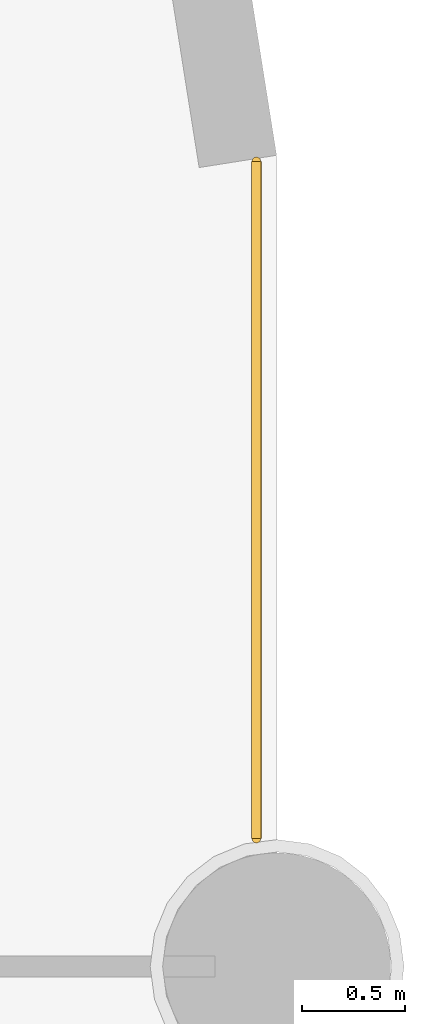
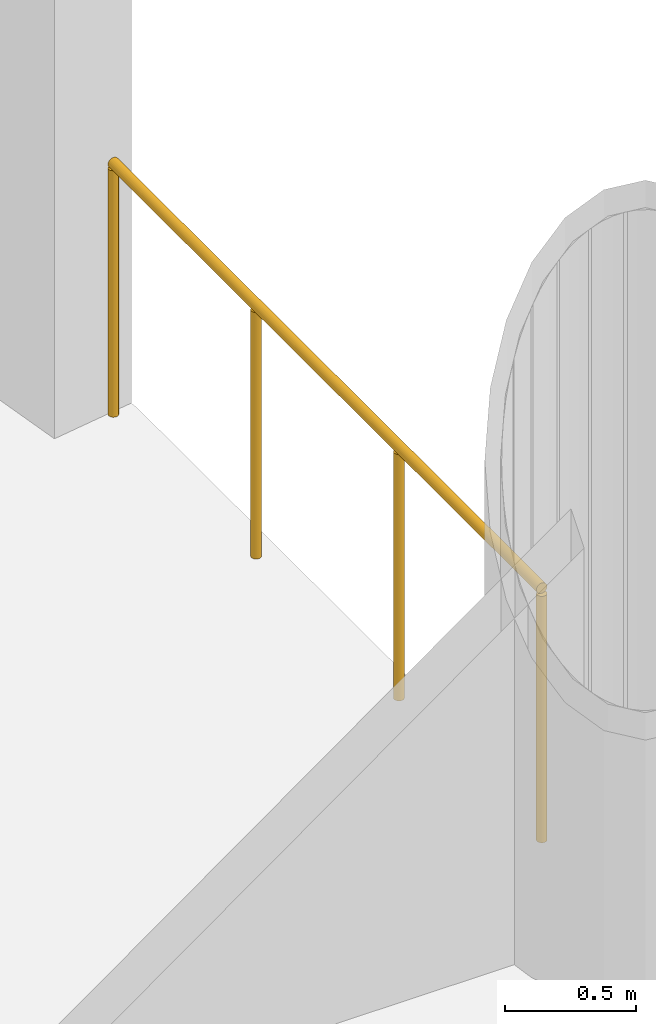
# One storey, part 23 of 23: 1 railing.
"""IFC4 building model written with IfcOpenShell, lengths in metres."""

from ifc_helpers import new_model, si_unit, direction, frame, origin, origin_2d, place, context, subcontext, project, spatial, circle, extrude, material, type_object, element, save


model = new_model("IFC4")

# Units and contexts
model_context = context("Model", 3, precision=1e-05, world=origin(), true_north=direction((0.0, 1.0)))
body_context = subcontext(model_context, "Body", "Model", "MODEL_VIEW")
ifc_project = project(units=[si_unit("LENGTHUNIT", "METRE"), si_unit("AREAUNIT", "SQUARE_METRE"), si_unit("VOLUMEUNIT", "CUBIC_METRE"), si_unit("PLANEANGLEUNIT", "RADIAN"), si_unit("MASSUNIT", "GRAM", prefix="KILO")], contexts=[model_context])

# Site, building, storey
site_placement = place(None, origin())
site = spatial("IfcSite", under=ifc_project, at=site_placement, CompositionType="ELEMENT")
building_placement = place(site_placement, origin())
building = spatial("IfcBuilding", under=site, at=building_placement, Name="Ludao Terraces", CompositionType="ELEMENT")
storey_placement = place(building_placement, frame((0.0, 0.0, 10.5)))
storey = spatial("IfcBuildingStorey", under=building, at=storey_placement, Name="L02", CompositionType="ELEMENT", Elevation=10.5)

# Railing
ifc_material = material(Name="Steel Q235", Category="steel")
railing_type = type_object("IfcRailingType", Name="ENV Open-edge guard 1200", PredefinedType="GUARDRAIL", material=ifc_material)
railing_placement = place(storey_placement, frame((123.89990234375, 81.219970703125, 0.0)))
element("IfcRailing", 1, at=railing_placement, inside=storey, type_object=railing_type, Name="Guard L02 E8", PredefinedType="GUARDRAIL", context=body_context, shape_type="SweptSolid", body=[
    extrude(circle(Radius=0.02392578125, at=origin_2d()), frame((0.0, 0.0, 1.17578125), z_axis=(0.0, 1.0, 0.0), x_axis=(-1.0, 0.0, 0.0)), (0.0, 0.0, 1.0), 3.280029296875),
    extrude(circle(Radius=0.02099609375, at=origin_2d()), origin(), (0.0, 0.0, 1.0), 1.15185546875),
    extrude(circle(Radius=0.02099609375, at=origin_2d()), frame((0.0, 1.09326171875, 0.0)), (0.0, 0.0, 1.0), 1.15185546875),
    extrude(circle(Radius=0.02099609375, at=origin_2d()), frame((0.0, 2.186767578125, 0.0)), (0.0, 0.0, 1.0), 1.15185546875),
    extrude(circle(Radius=0.02099609375, at=origin_2d()), frame((0.0, 3.280029296875, 0.0)), (0.0, 0.0, 1.0), 1.15185546875),
])

save(model, "model.ifc")
